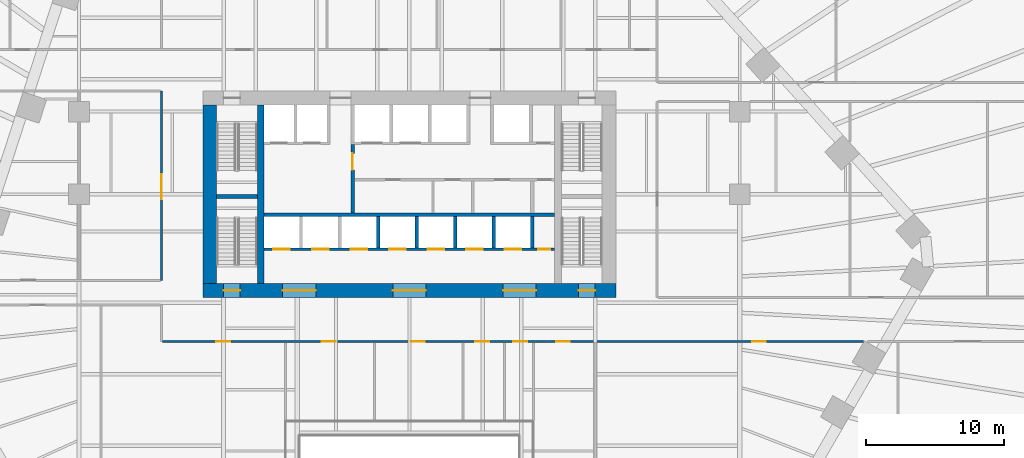
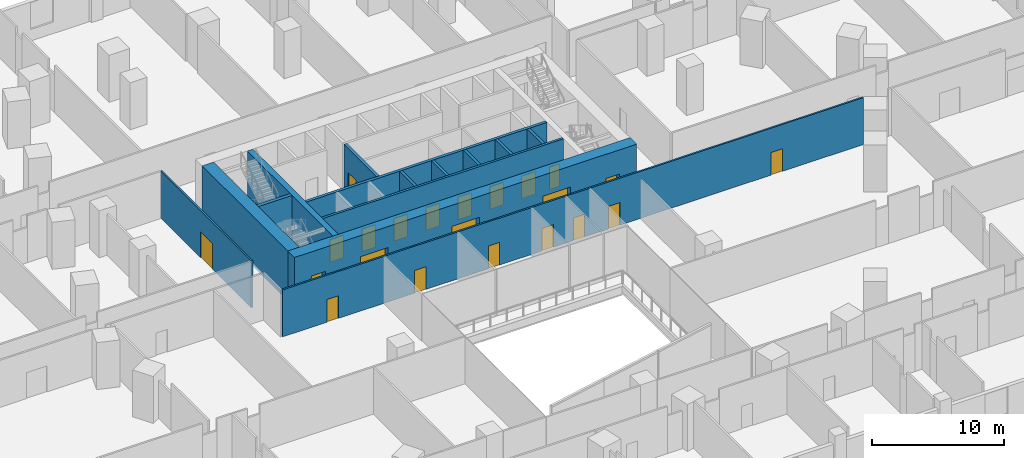
# One storey, part 17 of 33: 22 doors, 14 walls, 22 openings.
"""IFC4 building model written with IfcOpenShell, lengths in metres."""

from ifc_helpers import new_model, si_unit, direction, frame, frame_2d, origin, place, context, subcontext, project, spatial, rectangle, extrude, material, layer, layer_set, type_object, element, fill, save


model = new_model("IFC4")

# Units and contexts
model_context = context("Model", 3, precision=1e-05, world=origin(), true_north=direction((0.0, 1.0)))
body_context = subcontext(model_context, "Body", "Model", "MODEL_VIEW")
ifc_project = project(units=[si_unit("LENGTHUNIT", "METRE"), si_unit("AREAUNIT", "SQUARE_METRE"), si_unit("VOLUMEUNIT", "CUBIC_METRE"), si_unit("PLANEANGLEUNIT", "RADIAN"), si_unit("MASSUNIT", "GRAM", prefix="KILO")], contexts=[model_context])

# Site, building, storey
site_placement = place(None, origin())
site = spatial("IfcSite", under=ifc_project, at=site_placement, CompositionType="ELEMENT")
building_placement = place(site_placement, origin())
building = spatial("IfcBuilding", under=site, at=building_placement, Name="Isthmus Gate Tower", CompositionType="ELEMENT")
storey_placement = place(building_placement, frame((0.0, 0.0, 31.5)))
storey = spatial("IfcBuildingStorey", under=building, at=storey_placement, Name="L05", CompositionType="ELEMENT", Elevation=31.5)

# Wall, opening, door
ifc_material_1 = material(Name="Fire-rated blockwork masonry, 15 MPa", Category="masonry")
ifc_layer_1 = layer(ifc_material_1, 0.25)
ifc_layer_set_1 = layer_set([ifc_layer_1], Name="FIRE-FIGHTING LOBBY WALL 250 90 MIN")
wall_type_1 = type_object("IfcWallType", Name="FIRE-FIGHTING LOBBY WALL 250 90 MIN", PredefinedType="PARTITIONING", material=ifc_layer_set_1)
wall_1_placement = place(storey_placement, frame((-4.125, 6.14990234375, 0.0), z_axis=(0.0, 0.0, 1.0), x_axis=(0.0, 1.0, 0.0)))
wall_1 = element("IfcWall", 1, at=wall_1_placement, inside=storey, type_object=wall_type_1, Name="L05 FIRE-FIGHTING LOBBY WALL 250 90 MIN", PredefinedType="PARTITIONING", context=body_context, shape_type="SweptSolid", body=[
    extrude(rectangle(XDim=4.9501953125, YDim=0.25, at=frame_2d((2.47509765625, 0.0))), origin(), (0.0, 0.0, 1.0), 4.35009765625),
])
opening_1_placement = place(wall_1_placement, frame((3.125, 0.0, 0.0)))
opening_1 = element("IfcOpeningElement", 2, at=opening_1_placement, cuts=wall_1, Name="Opening DC-A02-01", PredefinedType="OPENING", context=body_context, shape_type="SweptSolid", body=[
    extrude(rectangle(XDim=1.199951171875, YDim=2.10009765625, at=frame_2d((0.60009765625, 1.050048828125))), frame((0.0, 0.135009765625, 0.0), z_axis=(0.0, -1.0, 0.0), x_axis=(1.0, 0.0, 0.0)), (0.0, 0.0, 1.0), 0.27001953125),
])
ifc_material_2 = material(Name="Steel door leaf, fire-rated", Category="steel")
door_type_1 = type_object("IfcDoorType", Name="LOBBY FIRE DOOR 1200 X 2100 90 MIN", OperationType="DOUBLE_DOOR_SINGLE_SWING", PredefinedType="DOOR", material=ifc_material_2)
door_1_placement = place(opening_1_placement, origin())
door_1 = element("IfcDoor", 3, at=door_1_placement, inside=storey, type_object=door_type_1, Name="Fire-fighting Lobby Door", OperationType="SINGLE_SWING_LEFT", OverallHeight=2.10009765625, OverallWidth=1.199951171875, PredefinedType="DOOR", context=body_context, shape_type="SweptSolid", body=[
    extrude(rectangle(XDim=1.199951171875, YDim=2.10009765625, at=frame_2d((0.60009765625, 1.050048828125))), frame((0.0, 0.02490234375, 0.0), z_axis=(0.0, -1.0, 0.0), x_axis=(1.0, 0.0, 0.0)), (0.0, 0.0, 1.0), 0.050048828125),
])
fill(opening_1, door_1)

# Wall, openings, doors
ifc_material_3 = material(Name="Gypsum board on cold-formed steel studs", Category="steel")
ifc_layer_2 = layer(ifc_material_3, 0.14990234375)
ifc_layer_set_2 = layer_set([ifc_layer_2])
wall_type_2 = type_object("IfcWallType", Name="Partition 150 gypsum board on steel studs", PredefinedType="PARTITIONING", material=ifc_layer_set_2)
wall_2_placement = place(storey_placement, frame((-17.925048828125, -3.199951171875, 0.0), z_axis=(0.0, 0.0, 1.0), x_axis=(1.0, 0.0, 0.0)))
wall_2 = element("IfcWall", 4, at=wall_2_placement, inside=storey, type_object=wall_type_2, Name="Partition", PredefinedType="PARTITIONING", context=body_context, shape_type="SweptSolid", body=[
    extrude(rectangle(XDim=50.90625, YDim=0.14990234375, at=frame_2d((25.453125, 0.0))), origin(), (0.0, 0.0, 1.0), 4.35009765625),
])
opening_2_placement = place(wall_2_placement, frame((3.89990234375, 0.0, 0.0)))
opening_2 = element("IfcOpeningElement", 5, at=opening_2_placement, cuts=wall_2, Name="Opening DP05-12", PredefinedType="OPENING", context=body_context, shape_type="SweptSolid", body=[
    extrude(rectangle(XDim=1.0, YDim=2.10009765625, at=frame_2d((0.5, 1.050048828125))), frame((0.0, 0.0849609375, 0.0), z_axis=(0.0, -1.0, 0.0), x_axis=(1.0, 0.0, 0.0)), (0.0, 0.0, 1.0), 0.169921875),
])
opening_3_placement = place(wall_2_placement, frame((28.574951171875, 0.0, 0.0)))
opening_3 = element("IfcOpeningElement", 6, at=opening_3_placement, cuts=wall_2, Name="Opening DP05-17", PredefinedType="OPENING", context=body_context, shape_type="SweptSolid", body=[
    extrude(rectangle(XDim=1.0, YDim=2.10009765625, at=frame_2d((0.5, 1.050048828125))), frame((0.0, 0.0849609375, 0.0), z_axis=(0.0, -1.0, 0.0), x_axis=(1.0, 0.0, 0.0)), (0.0, 0.0, 1.0), 0.169921875),
])
opening_4_placement = place(wall_2_placement, frame((42.824951171875, 0.0, 0.0)))
opening_4 = element("IfcOpeningElement", 7, at=opening_4_placement, cuts=wall_2, Name="Opening DP05-18", PredefinedType="OPENING", context=body_context, shape_type="SweptSolid", body=[
    extrude(rectangle(XDim=1.0, YDim=2.10009765625, at=frame_2d((0.5, 1.050048828125))), frame((0.0, 0.0849609375, 0.0), z_axis=(0.0, -1.0, 0.0), x_axis=(1.0, 0.0, 0.0)), (0.0, 0.0, 1.0), 0.169921875),
])
opening_5_placement = place(wall_2_placement, frame((11.574951171875, 0.0, 0.0)))
opening_5 = element("IfcOpeningElement", 8, at=opening_5_placement, cuts=wall_2, Name="Opening DP05-23", PredefinedType="OPENING", context=body_context, shape_type="SweptSolid", body=[
    extrude(rectangle(XDim=1.0, YDim=2.10009765625, at=frame_2d((0.5, 1.050048828125))), frame((0.0, 0.0849609375, 0.0), z_axis=(0.0, -1.0, 0.0), x_axis=(1.0, 0.0, 0.0)), (0.0, 0.0, 1.0), 0.169921875),
])
opening_6_placement = place(wall_2_placement, frame((18.02490234375, 0.0, 0.0)))
opening_6 = element("IfcOpeningElement", 9, at=opening_6_placement, cuts=wall_2, Name="Opening DP05-24", PredefinedType="OPENING", context=body_context, shape_type="SweptSolid", body=[
    extrude(rectangle(XDim=1.0, YDim=2.10009765625, at=frame_2d((0.5, 1.050048828125))), frame((0.0, 0.0849609375, 0.0), z_axis=(0.0, -1.0, 0.0), x_axis=(1.0, 0.0, 0.0)), (0.0, 0.0, 1.0), 0.169921875),
])
opening_7_placement = place(wall_2_placement, frame((22.72509765625, 0.0, 0.0)))
opening_7 = element("IfcOpeningElement", 10, at=opening_7_placement, cuts=wall_2, Name="Opening DP05-25", PredefinedType="OPENING", context=body_context, shape_type="SweptSolid", body=[
    extrude(rectangle(XDim=1.0, YDim=2.10009765625, at=frame_2d((0.5, 1.050048828125))), frame((0.0, 0.0849609375, 0.0), z_axis=(0.0, -1.0, 0.0), x_axis=(1.0, 0.0, 0.0)), (0.0, 0.0, 1.0), 0.169921875),
])
opening_8_placement = place(wall_2_placement, frame((25.47509765625, 0.0, 0.0)))
opening_8 = element("IfcOpeningElement", 11, at=opening_8_placement, cuts=wall_2, Name="Opening DP05-26", PredefinedType="OPENING", context=body_context, shape_type="SweptSolid", body=[
    extrude(rectangle(XDim=1.0, YDim=2.10009765625, at=frame_2d((0.5, 1.050048828125))), frame((0.0, 0.0849609375, 0.0), z_axis=(0.0, -1.0, 0.0), x_axis=(1.0, 0.0, 0.0)), (0.0, 0.0, 1.0), 0.169921875),
])
ifc_material_4 = material(Name="Hollow metal frame with solid-core timber leaf", Category="wood")
door_type_2 = type_object("IfcDoorType", Name="Single swing door 1000 x 2100", OperationType="SINGLE_SWING_LEFT", PredefinedType="DOOR", material=ifc_material_4)
door_2_placement = place(opening_2_placement, origin())
door_2 = element("IfcDoor", 12, at=door_2_placement, inside=storey, type_object=door_type_2, Name="Door DP05-12", OperationType="SINGLE_SWING_LEFT", OverallHeight=2.10009765625, OverallWidth=1.0, PredefinedType="DOOR", context=body_context, shape_type="SweptSolid", body=[
    extrude(rectangle(XDim=1.0, YDim=2.10009765625, at=frame_2d((0.5, 1.050048828125))), frame((0.0, 0.02490234375, 0.0), z_axis=(0.0, -1.0, 0.0), x_axis=(1.0, 0.0, 0.0)), (0.0, 0.0, 1.0), 0.050048828125),
])
fill(opening_2, door_2)
door_3_placement = place(opening_3_placement, origin())
door_3 = element("IfcDoor", 13, at=door_3_placement, inside=storey, type_object=door_type_2, Name="Door DP05-17", OperationType="SINGLE_SWING_LEFT", OverallHeight=2.10009765625, OverallWidth=1.0, PredefinedType="DOOR", context=body_context, shape_type="SweptSolid", body=[
    extrude(rectangle(XDim=1.0, YDim=2.10009765625, at=frame_2d((0.5, 1.050048828125))), frame((0.0, 0.02490234375, 0.0), z_axis=(0.0, -1.0, 0.0), x_axis=(1.0, 0.0, 0.0)), (0.0, 0.0, 1.0), 0.050048828125),
])
fill(opening_3, door_3)
door_4_placement = place(opening_4_placement, origin())
door_4 = element("IfcDoor", 14, at=door_4_placement, inside=storey, type_object=door_type_2, Name="Door DP05-18", OperationType="SINGLE_SWING_LEFT", OverallHeight=2.10009765625, OverallWidth=1.0, PredefinedType="DOOR", context=body_context, shape_type="SweptSolid", body=[
    extrude(rectangle(XDim=1.0, YDim=2.10009765625, at=frame_2d((0.5, 1.050048828125))), frame((0.0, 0.02490234375, 0.0), z_axis=(0.0, -1.0, 0.0), x_axis=(1.0, 0.0, 0.0)), (0.0, 0.0, 1.0), 0.050048828125),
])
fill(opening_4, door_4)
door_5_placement = place(opening_5_placement, origin())
door_5 = element("IfcDoor", 15, at=door_5_placement, inside=storey, type_object=door_type_2, Name="Door DP05-23", OperationType="SINGLE_SWING_LEFT", OverallHeight=2.10009765625, OverallWidth=1.0, PredefinedType="DOOR", context=body_context, shape_type="SweptSolid", body=[
    extrude(rectangle(XDim=1.0, YDim=2.10009765625, at=frame_2d((0.5, 1.050048828125))), frame((0.0, 0.02490234375, 0.0), z_axis=(0.0, -1.0, 0.0), x_axis=(1.0, 0.0, 0.0)), (0.0, 0.0, 1.0), 0.050048828125),
])
fill(opening_5, door_5)
door_6_placement = place(opening_6_placement, origin())
door_6 = element("IfcDoor", 16, at=door_6_placement, inside=storey, type_object=door_type_2, Name="Door DP05-24", OperationType="SINGLE_SWING_LEFT", OverallHeight=2.10009765625, OverallWidth=1.0, PredefinedType="DOOR", context=body_context, shape_type="SweptSolid", body=[
    extrude(rectangle(XDim=1.0, YDim=2.10009765625, at=frame_2d((0.5, 1.050048828125))), frame((0.0, 0.02490234375, 0.0), z_axis=(0.0, -1.0, 0.0), x_axis=(1.0, 0.0, 0.0)), (0.0, 0.0, 1.0), 0.050048828125),
])
fill(opening_6, door_6)
door_7_placement = place(opening_7_placement, origin())
door_7 = element("IfcDoor", 17, at=door_7_placement, inside=storey, type_object=door_type_2, Name="Door DP05-25", OperationType="SINGLE_SWING_LEFT", OverallHeight=2.10009765625, OverallWidth=1.0, PredefinedType="DOOR", context=body_context, shape_type="SweptSolid", body=[
    extrude(rectangle(XDim=1.0, YDim=2.10009765625, at=frame_2d((0.5, 1.050048828125))), frame((0.0, 0.02490234375, 0.0), z_axis=(0.0, -1.0, 0.0), x_axis=(1.0, 0.0, 0.0)), (0.0, 0.0, 1.0), 0.050048828125),
])
fill(opening_7, door_7)
door_8_placement = place(opening_8_placement, origin())
door_8 = element("IfcDoor", 18, at=door_8_placement, inside=storey, type_object=door_type_2, Name="Door DP05-26", OperationType="SINGLE_SWING_LEFT", OverallHeight=2.10009765625, OverallWidth=1.0, PredefinedType="DOOR", context=body_context, shape_type="SweptSolid", body=[
    extrude(rectangle(XDim=1.0, YDim=2.10009765625, at=frame_2d((0.5, 1.050048828125))), frame((0.0, 0.02490234375, 0.0), z_axis=(0.0, -1.0, 0.0), x_axis=(1.0, 0.0, 0.0)), (0.0, 0.0, 1.0), 0.050048828125),
])
fill(opening_8, door_8)

# Wall, opening, door
wall_3_placement = place(storey_placement, frame((-18.0, 1.251220703125, 0.0), z_axis=(0.0, 0.0, 1.0), x_axis=(0.0, 1.0, 0.0)))
wall_3 = element("IfcWall", 19, at=wall_3_placement, inside=storey, type_object=wall_type_2, Name="Partition", PredefinedType="PARTITIONING", context=body_context, shape_type="SweptSolid", body=[
    extrude(rectangle(XDim=13.748779296875, YDim=0.14990234375, at=frame_2d((6.87451171875, 0.0))), origin(), (0.0, 0.0, 1.0), 4.35009765625),
])
opening_9_placement = place(wall_3_placement, frame((5.89990234375, 0.0, 0.0)))
opening_9 = element("IfcOpeningElement", 20, at=opening_9_placement, cuts=wall_3, Name="Opening DP05-39", PredefinedType="OPENING", context=body_context, shape_type="SweptSolid", body=[
    extrude(rectangle(XDim=1.800048828125, YDim=2.39990234375, at=frame_2d((0.89990234375, 1.199951171875))), frame((0.0, 0.0849609375, 0.0), z_axis=(0.0, -1.0, 0.0), x_axis=(1.0, 0.0, 0.0)), (0.0, 0.0, 1.0), 0.169921875),
])
ifc_material_5 = material(Name="Hollow metal frame with solid-core timber leaves", Category="wood")
door_type_3 = type_object("IfcDoorType", Name="Double swing door 1800 x 2400", OperationType="DOUBLE_DOOR_SINGLE_SWING", PredefinedType="DOOR", material=ifc_material_5)
door_9_placement = place(opening_9_placement, origin())
door_9 = element("IfcDoor", 21, at=door_9_placement, inside=storey, type_object=door_type_3, Name="Door DP05-39", OperationType="SINGLE_SWING_LEFT", OverallHeight=2.39990234375, OverallWidth=1.800048828125, PredefinedType="DOOR", context=body_context, shape_type="SweptSolid", body=[
    extrude(rectangle(XDim=1.800048828125, YDim=2.39990234375, at=frame_2d((0.89990234375, 1.199951171875))), frame((0.0, 0.02490234375, 0.0), z_axis=(0.0, -1.0, 0.0), x_axis=(1.0, 0.0, 0.0)), (0.0, 0.0, 1.0), 0.050048828125),
])
fill(opening_9, door_9)

# Wall
ifc_material_6 = material(Name="Concrete f'c 70 MPa", Category="concrete")
ifc_layer_3 = layer(ifc_material_6, 0.5)
ifc_layer_set_3 = layer_set([ifc_layer_3], Name="RC CORE SPINE WALL 500 F'C 70")
wall_type_3 = type_object("IfcWallType", Name="RC CORE SPINE WALL 500 F'C 70", PredefinedType="SOLIDWALL", material=ifc_layer_set_3)
wall_4_placement = place(storey_placement, frame((-10.800048828125, 1.0, -0.300048828125), z_axis=(0.0, 0.0, 1.0), x_axis=(0.0, 1.0, 0.0)))
element("IfcWall", 22, at=wall_4_placement, inside=storey, type_object=wall_type_3, Name="str-corewall-L05-SPW", PredefinedType="SOLIDWALL", context=body_context, shape_type="SweptSolid", body=[
    extrude(rectangle(XDim=13.0, YDim=0.5, at=frame_2d((6.5, 0.0))), origin(), (0.0, 0.0, 1.0), 4.650146484375),
])

# Wall, openings, doors
ifc_material_7 = material(Name="Concrete f'c 70 MPa", Category="concrete")
ifc_layer_4 = layer(ifc_material_7, 1.0)
ifc_layer_set_4 = layer_set([ifc_layer_4], Name="RC CORE WALL 1000 F'C 70")
wall_type_4 = type_object("IfcWallType", Name="RC CORE WALL 1000 F'C 70", PredefinedType="SOLIDWALL", material=ifc_layer_set_4)
wall_5_placement = place(storey_placement, frame((-15.0, 0.5, -0.300048828125), z_axis=(0.0, 0.0, 1.0), x_axis=(1.0, 0.0, 0.0)))
wall_5 = element("IfcWall", 23, at=wall_5_placement, inside=storey, type_object=wall_type_4, Name="str-corewall-L05-S", PredefinedType="SOLIDWALL", context=body_context, shape_type="SweptSolid", body=[
    extrude(rectangle(XDim=30.0, YDim=1.0, at=frame_2d((15.0, 0.0))), origin(), (0.0, 0.0, 1.0), 4.650146484375),
])
opening_10_placement = place(wall_5_placement, frame((5.800048828125, 0.0, 0.300048828125)))
opening_10 = element("IfcOpeningElement", 24, at=opening_10_placement, cuts=wall_5, Name="Opening DC-A02-08", PredefinedType="OPENING", context=body_context, shape_type="SweptSolid", body=[
    extrude(rectangle(XDim=2.39990234375, YDim=2.39990234375, at=frame_2d((1.199951171875, 1.199951171875))), frame((0.0, 0.510009765625, 0.0), z_axis=(0.0, -1.0, 0.0), x_axis=(1.0, 0.0, 0.0)), (0.0, 0.0, 1.0), 1.02001953125),
])
opening_11_placement = place(wall_5_placement, frame((13.800048828125, 0.0, 0.300048828125)))
opening_11 = element("IfcOpeningElement", 25, at=opening_11_placement, cuts=wall_5, Name="Opening DC-A02-09", PredefinedType="OPENING", context=body_context, shape_type="SweptSolid", body=[
    extrude(rectangle(XDim=2.39990234375, YDim=2.39990234375, at=frame_2d((1.199951171875, 1.199951171875))), frame((0.0, 0.510009765625, 0.0), z_axis=(0.0, -1.0, 0.0), x_axis=(1.0, 0.0, 0.0)), (0.0, 0.0, 1.0), 1.02001953125),
])
opening_12_placement = place(wall_5_placement, frame((21.800048828125, 0.0, 0.300048828125)))
opening_12 = element("IfcOpeningElement", 26, at=opening_12_placement, cuts=wall_5, Name="Opening DC-A02-10", PredefinedType="OPENING", context=body_context, shape_type="SweptSolid", body=[
    extrude(rectangle(XDim=2.39990234375, YDim=2.39990234375, at=frame_2d((1.199951171875, 1.199951171875))), frame((0.0, 0.510009765625, 0.0), z_axis=(0.0, -1.0, 0.0), x_axis=(1.0, 0.0, 0.0)), (0.0, 0.0, 1.0), 1.02001953125),
])
opening_13_placement = place(wall_5_placement, frame((1.5, 0.0, 0.300048828125)))
opening_13 = element("IfcOpeningElement", 27, at=opening_13_placement, cuts=wall_5, Name="Opening DC-A02-15", PredefinedType="OPENING", context=body_context, shape_type="SweptSolid", body=[
    extrude(rectangle(XDim=1.199951171875, YDim=2.10009765625, at=frame_2d((0.60009765625, 1.050048828125))), frame((0.0, 0.510009765625, 0.0), z_axis=(0.0, -1.0, 0.0), x_axis=(1.0, 0.0, 0.0)), (0.0, 0.0, 1.0), 1.02001953125),
])
opening_14_placement = place(wall_5_placement, frame((27.300048828125, 0.0, 0.300048828125)))
opening_14 = element("IfcOpeningElement", 28, at=opening_14_placement, cuts=wall_5, Name="Opening DC-A02-16", PredefinedType="OPENING", context=body_context, shape_type="SweptSolid", body=[
    extrude(rectangle(XDim=1.199951171875, YDim=2.10009765625, at=frame_2d((0.60009765625, 1.050048828125))), frame((0.0, 0.510009765625, 0.0), z_axis=(0.0, -1.0, 0.0), x_axis=(1.0, 0.0, 0.0)), (0.0, 0.0, 1.0), 1.02001953125),
])
ifc_material_8 = material(Name="Laminated safety glass in steel frame, fire-rated", Category="steel")
door_type_4 = type_object("IfcDoorType", Name="LOBBY ENTRANCE FIRE DOOR 2400 X 2400 60 MIN", OperationType="DOUBLE_DOOR_DOUBLE_SWING", PredefinedType="DOOR", material=ifc_material_8)
door_10_placement = place(opening_10_placement, origin())
door_10 = element("IfcDoor", 29, at=door_10_placement, inside=storey, type_object=door_type_4, Name="Lobby Entrance PS-W", OperationType="DOUBLE_DOOR_DOUBLE_SWING", OverallHeight=2.39990234375, OverallWidth=2.39990234375, PredefinedType="DOOR", context=body_context, shape_type="SweptSolid", body=[
    extrude(rectangle(XDim=2.39990234375, YDim=2.39990234375, at=frame_2d((1.199951171875, 1.199951171875))), frame((0.0, 0.02490234375, 0.0), z_axis=(0.0, -1.0, 0.0), x_axis=(1.0, 0.0, 0.0)), (0.0, 0.0, 1.0), 0.050048828125),
])
fill(opening_10, door_10)
door_11_placement = place(opening_11_placement, origin())
door_11 = element("IfcDoor", 30, at=door_11_placement, inside=storey, type_object=door_type_4, Name="Lobby Entrance PS-C", OperationType="DOUBLE_DOOR_DOUBLE_SWING", OverallHeight=2.39990234375, OverallWidth=2.39990234375, PredefinedType="DOOR", context=body_context, shape_type="SweptSolid", body=[
    extrude(rectangle(XDim=2.39990234375, YDim=2.39990234375, at=frame_2d((1.199951171875, 1.199951171875))), frame((0.0, 0.02490234375, 0.0), z_axis=(0.0, -1.0, 0.0), x_axis=(1.0, 0.0, 0.0)), (0.0, 0.0, 1.0), 0.050048828125),
])
fill(opening_11, door_11)
door_12_placement = place(opening_12_placement, origin())
door_12 = element("IfcDoor", 31, at=door_12_placement, inside=storey, type_object=door_type_4, Name="Lobby Entrance PS-E", OperationType="DOUBLE_DOOR_DOUBLE_SWING", OverallHeight=2.39990234375, OverallWidth=2.39990234375, PredefinedType="DOOR", context=body_context, shape_type="SweptSolid", body=[
    extrude(rectangle(XDim=2.39990234375, YDim=2.39990234375, at=frame_2d((1.199951171875, 1.199951171875))), frame((0.0, 0.02490234375, 0.0), z_axis=(0.0, -1.0, 0.0), x_axis=(1.0, 0.0, 0.0)), (0.0, 0.0, 1.0), 0.050048828125),
])
fill(opening_12, door_12)
ifc_material_9 = material(Name="Steel door leaf, fire-rated", Category="steel")
door_type_5 = type_object("IfcDoorType", Name="STAIR FIRE DOOR 1200 X 2100 90 MIN", OperationType="SINGLE_SWING_LEFT", PredefinedType="DOOR", material=ifc_material_9)
door_13_placement = place(opening_13_placement, origin())
door_13 = element("IfcDoor", 32, at=door_13_placement, inside=storey, type_object=door_type_5, Name="Exit Stair 7 Door", OperationType="SINGLE_SWING_LEFT", OverallHeight=2.10009765625, OverallWidth=1.199951171875, PredefinedType="DOOR", context=body_context, shape_type="SweptSolid", body=[
    extrude(rectangle(XDim=1.199951171875, YDim=2.10009765625, at=frame_2d((0.60009765625, 1.050048828125))), frame((0.0, 0.02490234375, 0.0), z_axis=(0.0, -1.0, 0.0), x_axis=(1.0, 0.0, 0.0)), (0.0, 0.0, 1.0), 0.050048828125),
])
fill(opening_13, door_13)
door_14_placement = place(opening_14_placement, origin())
door_14 = element("IfcDoor", 33, at=door_14_placement, inside=storey, type_object=door_type_5, Name="Exit Stair 8 Door", OperationType="SINGLE_SWING_RIGHT", OverallHeight=2.10009765625, OverallWidth=1.199951171875, PredefinedType="DOOR", context=body_context, shape_type="SweptSolid", body=[
    extrude(rectangle(XDim=1.199951171875, YDim=2.10009765625, at=frame_2d((0.60009765625, 1.050048828125))), frame((0.0, 0.02490234375, 0.0), z_axis=(0.0, -1.0, 0.0), x_axis=(1.0, 0.0, 0.0)), (0.0, 0.0, 1.0), 0.050048828125),
])
fill(opening_14, door_14)

# Wall
wall_6_placement = place(storey_placement, frame((-14.5, 1.0, -0.300048828125), z_axis=(0.0, 0.0, 1.0), x_axis=(0.0, 1.0, 0.0)))
element("IfcWall", 34, at=wall_6_placement, inside=storey, type_object=wall_type_4, Name="str-corewall-L05-W", PredefinedType="SOLIDWALL", context=body_context, shape_type="SweptSolid", body=[
    extrude(rectangle(XDim=13.0, YDim=1.0, at=frame_2d((6.5, 0.0))), origin(), (0.0, 0.0, 1.0), 4.650146484375),
])

# Wall, openings, doors
ifc_material_10 = material(Name="Fire-rated blockwork masonry, 15 MPa", Category="masonry")
ifc_layer_5 = layer(ifc_material_10, 0.199951171875)
ifc_layer_set_5 = layer_set([ifc_layer_5], Name="SHAFT FRONT WALL 200 120 MIN")
wall_type_5 = type_object("IfcWallType", Name="SHAFT FRONT WALL 200 120 MIN", PredefinedType="PARTITIONING", material=ifc_layer_set_5)
wall_7_placement = place(storey_placement, frame((-10.550048828125, 3.5, 0.0), z_axis=(0.0, 0.0, 1.0), x_axis=(1.0, 0.0, 0.0)))
wall_7 = element("IfcWall", 35, at=wall_7_placement, inside=storey, type_object=wall_type_5, Name="L05 SHAFT FRONT WALL 200 120 MIN", PredefinedType="PARTITIONING", context=body_context, shape_type="SweptSolid", body=[
    extrude(rectangle(XDim=21.10009765625, YDim=0.199951171875, at=frame_2d((10.550048828125, 0.0))), origin(), (0.0, 0.0, 1.0), 4.35009765625),
])
opening_15_placement = place(wall_7_placement, frame((0.675048828125, 0.0, 0.0)))
opening_15 = element("IfcOpeningElement", 36, at=opening_15_placement, cuts=wall_7, Name="Opening LD-LA1", PredefinedType="OPENING", context=body_context, shape_type="SweptSolid", body=[
    extrude(rectangle(XDim=1.199951171875, YDim=2.10009765625, at=frame_2d((0.60009765625, 1.050048828125))), frame((0.0, 0.10986328125, 0.0), z_axis=(0.0, -1.0, 0.0), x_axis=(1.0, 0.0, 0.0)), (0.0, 0.0, 1.0), 0.219970703125),
])
opening_16_placement = place(wall_7_placement, frame((3.47509765625, 0.0, 0.0)))
opening_16 = element("IfcOpeningElement", 37, at=opening_16_placement, cuts=wall_7, Name="Opening LD-LA2", PredefinedType="OPENING", context=body_context, shape_type="SweptSolid", body=[
    extrude(rectangle(XDim=1.199951171875, YDim=2.10009765625, at=frame_2d((0.60009765625, 1.050048828125))), frame((0.0, 0.10986328125, 0.0), z_axis=(0.0, -1.0, 0.0), x_axis=(1.0, 0.0, 0.0)), (0.0, 0.0, 1.0), 0.219970703125),
])
opening_17_placement = place(wall_7_placement, frame((6.27490234375, 0.0, 0.0)))
opening_17 = element("IfcOpeningElement", 38, at=opening_17_placement, cuts=wall_7, Name="Opening LD-LA3", PredefinedType="OPENING", context=body_context, shape_type="SweptSolid", body=[
    extrude(rectangle(XDim=1.199951171875, YDim=2.10009765625, at=frame_2d((0.60009765625, 1.050048828125))), frame((0.0, 0.10986328125, 0.0), z_axis=(0.0, -1.0, 0.0), x_axis=(1.0, 0.0, 0.0)), (0.0, 0.0, 1.0), 0.219970703125),
])
opening_18_placement = place(wall_7_placement, frame((9.074951171875, 0.0, 0.0)))
opening_18 = element("IfcOpeningElement", 39, at=opening_18_placement, cuts=wall_7, Name="Opening LD-LA4", PredefinedType="OPENING", context=body_context, shape_type="SweptSolid", body=[
    extrude(rectangle(XDim=1.199951171875, YDim=2.10009765625, at=frame_2d((0.60009765625, 1.050048828125))), frame((0.0, 0.10986328125, 0.0), z_axis=(0.0, -1.0, 0.0), x_axis=(1.0, 0.0, 0.0)), (0.0, 0.0, 1.0), 0.219970703125),
])
opening_19_placement = place(wall_7_placement, frame((11.875, 0.0, 0.0)))
opening_19 = element("IfcOpeningElement", 40, at=opening_19_placement, cuts=wall_7, Name="Opening LD-LA5", PredefinedType="OPENING", context=body_context, shape_type="SweptSolid", body=[
    extrude(rectangle(XDim=1.199951171875, YDim=2.10009765625, at=frame_2d((0.60009765625, 1.050048828125))), frame((0.0, 0.10986328125, 0.0), z_axis=(0.0, -1.0, 0.0), x_axis=(1.0, 0.0, 0.0)), (0.0, 0.0, 1.0), 0.219970703125),
])
opening_20_placement = place(wall_7_placement, frame((14.675048828125, 0.0, 0.0)))
opening_20 = element("IfcOpeningElement", 41, at=opening_20_placement, cuts=wall_7, Name="Opening LD-LA6", PredefinedType="OPENING", context=body_context, shape_type="SweptSolid", body=[
    extrude(rectangle(XDim=1.199951171875, YDim=2.10009765625, at=frame_2d((0.60009765625, 1.050048828125))), frame((0.0, 0.10986328125, 0.0), z_axis=(0.0, -1.0, 0.0), x_axis=(1.0, 0.0, 0.0)), (0.0, 0.0, 1.0), 0.219970703125),
])
opening_21_placement = place(wall_7_placement, frame((17.47509765625, 0.0, 0.0)))
opening_21 = element("IfcOpeningElement", 42, at=opening_21_placement, cuts=wall_7, Name="Opening LD-LA7", PredefinedType="OPENING", context=body_context, shape_type="SweptSolid", body=[
    extrude(rectangle(XDim=1.199951171875, YDim=2.10009765625, at=frame_2d((0.60009765625, 1.050048828125))), frame((0.0, 0.10986328125, 0.0), z_axis=(0.0, -1.0, 0.0), x_axis=(1.0, 0.0, 0.0)), (0.0, 0.0, 1.0), 0.219970703125),
])
opening_22_placement = place(wall_7_placement, frame((19.89990234375, 0.0, 0.0)))
opening_22 = element("IfcOpeningElement", 43, at=opening_22_placement, cuts=wall_7, Name="Opening DC-A02-02", PredefinedType="OPENING", context=body_context, shape_type="SweptSolid", body=[
    extrude(rectangle(XDim=0.89990234375, YDim=2.10009765625, at=frame_2d((0.449951171875, 1.050048828125))), frame((0.0, 0.10986328125, 0.0), z_axis=(0.0, -1.0, 0.0), x_axis=(1.0, 0.0, 0.0)), (0.0, 0.0, 1.0), 0.219970703125),
])
ifc_material_11 = material(Name="Stainless steel sliding leaf", Category="steel")
door_type_6 = type_object("IfcDoorType", Name="LIFT LANDING FIRE DOOR 1200 X 2100 90 MIN", OperationType="DOUBLE_DOOR_SLIDING", PredefinedType="DOOR", material=ifc_material_11)
door_15_placement = place(opening_15_placement, origin())
door_15 = element("IfcDoor", 44, at=door_15_placement, inside=storey, type_object=door_type_6, Name="Lift Landing Door LA1", OperationType="DOUBLE_DOOR_SLIDING", OverallHeight=2.10009765625, OverallWidth=1.199951171875, PredefinedType="DOOR", context=body_context, shape_type="SweptSolid", body=[
    extrude(rectangle(XDim=1.199951171875, YDim=2.10009765625, at=frame_2d((0.60009765625, 1.050048828125))), frame((0.0, 0.02490234375, 0.0), z_axis=(0.0, -1.0, 0.0), x_axis=(1.0, 0.0, 0.0)), (0.0, 0.0, 1.0), 0.050048828125),
])
fill(opening_15, door_15)
door_16_placement = place(opening_16_placement, origin())
door_16 = element("IfcDoor", 45, at=door_16_placement, inside=storey, type_object=door_type_6, Name="Lift Landing Door LA2", OperationType="DOUBLE_DOOR_SLIDING", OverallHeight=2.10009765625, OverallWidth=1.199951171875, PredefinedType="DOOR", context=body_context, shape_type="SweptSolid", body=[
    extrude(rectangle(XDim=1.199951171875, YDim=2.10009765625, at=frame_2d((0.60009765625, 1.050048828125))), frame((0.0, 0.02490234375, 0.0), z_axis=(0.0, -1.0, 0.0), x_axis=(1.0, 0.0, 0.0)), (0.0, 0.0, 1.0), 0.050048828125),
])
fill(opening_16, door_16)
door_17_placement = place(opening_17_placement, origin())
door_17 = element("IfcDoor", 46, at=door_17_placement, inside=storey, type_object=door_type_6, Name="Lift Landing Door LA3", OperationType="DOUBLE_DOOR_SLIDING", OverallHeight=2.10009765625, OverallWidth=1.199951171875, PredefinedType="DOOR", context=body_context, shape_type="SweptSolid", body=[
    extrude(rectangle(XDim=1.199951171875, YDim=2.10009765625, at=frame_2d((0.60009765625, 1.050048828125))), frame((0.0, 0.02490234375, 0.0), z_axis=(0.0, -1.0, 0.0), x_axis=(1.0, 0.0, 0.0)), (0.0, 0.0, 1.0), 0.050048828125),
])
fill(opening_17, door_17)
door_18_placement = place(opening_18_placement, origin())
door_18 = element("IfcDoor", 47, at=door_18_placement, inside=storey, type_object=door_type_6, Name="Lift Landing Door LA4", OperationType="DOUBLE_DOOR_SLIDING", OverallHeight=2.10009765625, OverallWidth=1.199951171875, PredefinedType="DOOR", context=body_context, shape_type="SweptSolid", body=[
    extrude(rectangle(XDim=1.199951171875, YDim=2.10009765625, at=frame_2d((0.60009765625, 1.050048828125))), frame((0.0, 0.02490234375, 0.0), z_axis=(0.0, -1.0, 0.0), x_axis=(1.0, 0.0, 0.0)), (0.0, 0.0, 1.0), 0.050048828125),
])
fill(opening_18, door_18)
door_19_placement = place(opening_19_placement, origin())
door_19 = element("IfcDoor", 48, at=door_19_placement, inside=storey, type_object=door_type_6, Name="Lift Landing Door LA5", OperationType="DOUBLE_DOOR_SLIDING", OverallHeight=2.10009765625, OverallWidth=1.199951171875, PredefinedType="DOOR", context=body_context, shape_type="SweptSolid", body=[
    extrude(rectangle(XDim=1.199951171875, YDim=2.10009765625, at=frame_2d((0.60009765625, 1.050048828125))), frame((0.0, 0.02490234375, 0.0), z_axis=(0.0, -1.0, 0.0), x_axis=(1.0, 0.0, 0.0)), (0.0, 0.0, 1.0), 0.050048828125),
])
fill(opening_19, door_19)
door_20_placement = place(opening_20_placement, origin())
door_20 = element("IfcDoor", 49, at=door_20_placement, inside=storey, type_object=door_type_6, Name="Lift Landing Door LA6", OperationType="DOUBLE_DOOR_SLIDING", OverallHeight=2.10009765625, OverallWidth=1.199951171875, PredefinedType="DOOR", context=body_context, shape_type="SweptSolid", body=[
    extrude(rectangle(XDim=1.199951171875, YDim=2.10009765625, at=frame_2d((0.60009765625, 1.050048828125))), frame((0.0, 0.02490234375, 0.0), z_axis=(0.0, -1.0, 0.0), x_axis=(1.0, 0.0, 0.0)), (0.0, 0.0, 1.0), 0.050048828125),
])
fill(opening_20, door_20)
door_21_placement = place(opening_21_placement, origin())
door_21 = element("IfcDoor", 50, at=door_21_placement, inside=storey, type_object=door_type_6, Name="Lift Landing Door LA7", OperationType="DOUBLE_DOOR_SLIDING", OverallHeight=2.10009765625, OverallWidth=1.199951171875, PredefinedType="DOOR", context=body_context, shape_type="SweptSolid", body=[
    extrude(rectangle(XDim=1.199951171875, YDim=2.10009765625, at=frame_2d((0.60009765625, 1.050048828125))), frame((0.0, 0.02490234375, 0.0), z_axis=(0.0, -1.0, 0.0), x_axis=(1.0, 0.0, 0.0)), (0.0, 0.0, 1.0), 0.050048828125),
])
fill(opening_21, door_21)
ifc_material_12 = material(Name="Steel door leaf, fire-rated", Category="steel")
door_type_7 = type_object("IfcDoorType", Name="RISER FIRE DOOR 900 X 2100 90 MIN", OperationType="SINGLE_SWING_LEFT", PredefinedType="DOOR", material=ifc_material_12)
door_22_placement = place(opening_22_placement, origin())
door_22 = element("IfcDoor", 51, at=door_22_placement, inside=storey, type_object=door_type_7, Name="Riser Door", OperationType="SINGLE_SWING_RIGHT", OverallHeight=2.10009765625, OverallWidth=0.89990234375, PredefinedType="DOOR", context=body_context, shape_type="SweptSolid", body=[
    extrude(rectangle(XDim=0.89990234375, YDim=2.10009765625, at=frame_2d((0.449951171875, 1.050048828125))), frame((0.0, 0.02490234375, 0.0), z_axis=(0.0, -1.0, 0.0), x_axis=(1.0, 0.0, 0.0)), (0.0, 0.0, 1.0), 0.050048828125),
])
fill(opening_22, door_22)

# Walls
ifc_material_13 = material(Name="Fire-rated blockwork masonry, 15 MPa", Category="masonry")
ifc_layer_6 = layer(ifc_material_13, 0.25)
ifc_layer_set_6 = layer_set([ifc_layer_6], Name="SHAFT WALL 250 120 MIN")
wall_type_6 = type_object("IfcWallType", Name="SHAFT WALL 250 120 MIN", PredefinedType="PARTITIONING", material=ifc_layer_set_6)
wall_8_placement = place(storey_placement, frame((-10.550048828125, 6.02490234375, 0.0), z_axis=(0.0, 0.0, 1.0), x_axis=(1.0, 0.0, 0.0)))
element("IfcWall", 52, at=wall_8_placement, inside=storey, type_object=wall_type_6, Name="L05 SHAFT WALL 250 120 MIN", PredefinedType="PARTITIONING", context=body_context, shape_type="SweptSolid", body=[
    extrude(rectangle(XDim=21.10009765625, YDim=0.25, at=frame_2d((10.550048828125, 0.0))), origin(), (0.0, 0.0, 1.0), 4.35009765625),
])
for number, where, z_axis, x_axis, name in (
    (53, (-2.27490234375, 3.60009765625, 0.0), (0.0, 0.0, 1.0), (0.0, 1.0, 0.0), "L05 SHAFT WALL 250 120 MIN"),
    (54, (0.52490234375, 3.60009765625, 0.0), (0.0, 0.0, 1.0), (0.0, 1.0, 0.0), "L05 SHAFT WALL 250 120 MIN"),
    (55, (3.324951171875, 3.60009765625, 0.0), (0.0, 0.0, 1.0), (0.0, 1.0, 0.0), "L05 SHAFT WALL 250 120 MIN"),
    (56, (6.125, 3.60009765625, 0.0), (0.0, 0.0, 1.0), (0.0, 1.0, 0.0), "L05 SHAFT WALL 250 120 MIN"),
    (57, (8.925048828125, 3.60009765625, 0.0), (0.0, 0.0, 1.0), (0.0, 1.0, 0.0), "L05 SHAFT WALL 250 120 MIN"),
):
    element("IfcWall", number, at=place(storey_placement, frame(where, z_axis=z_axis, x_axis=x_axis)), inside=storey, type_object=wall_type_6, Name=name, PredefinedType="PARTITIONING", context=body_context, shape_type="SweptSolid", body=[
        extrude(rectangle(XDim=2.2998046875, YDim=0.25, at=frame_2d((1.14990234375, 0.0))), origin(), (0.0, 0.0, 1.0), 4.35009765625),
    ])
ifc_material_14 = material(Name="Concrete f'c 40 MPa", Category="concrete")
ifc_layer_7 = layer(ifc_material_14, 0.300048828125)
ifc_layer_set_7 = layer_set([ifc_layer_7], Name="STAIR ENCLOSURE WALL 300 180 MIN")
wall_type_7 = type_object("IfcWallType", Name="STAIR ENCLOSURE WALL 300 180 MIN", PredefinedType="SOLIDWALL", material=ifc_layer_set_7)
wall_9_placement = place(storey_placement, frame((-14.0, 7.35009765625, -0.300048828125), z_axis=(0.0, 0.0, 1.0), x_axis=(1.0, 0.0, 0.0)))
element("IfcWall", 58, at=wall_9_placement, inside=storey, type_object=wall_type_7, Name="L05 STAIR ENCLOSURE WALL 300 180 MIN", PredefinedType="SOLIDWALL", context=body_context, shape_type="SweptSolid", body=[
    extrude(rectangle(XDim=2.949951171875, YDim=0.300048828125, at=frame_2d((1.47509765625, 0.0))), origin(), (0.0, 0.0, 1.0), 4.650146484375),
])

save(model, "model.ifc")
